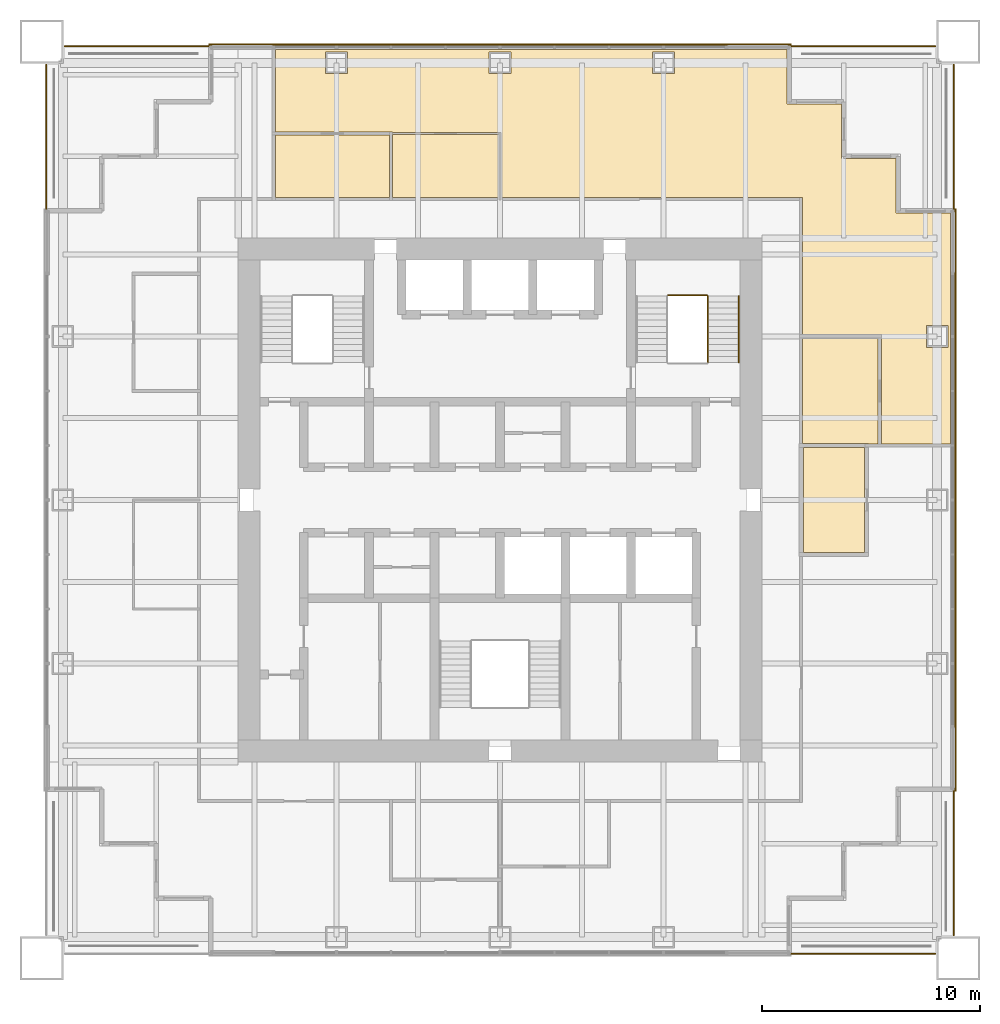
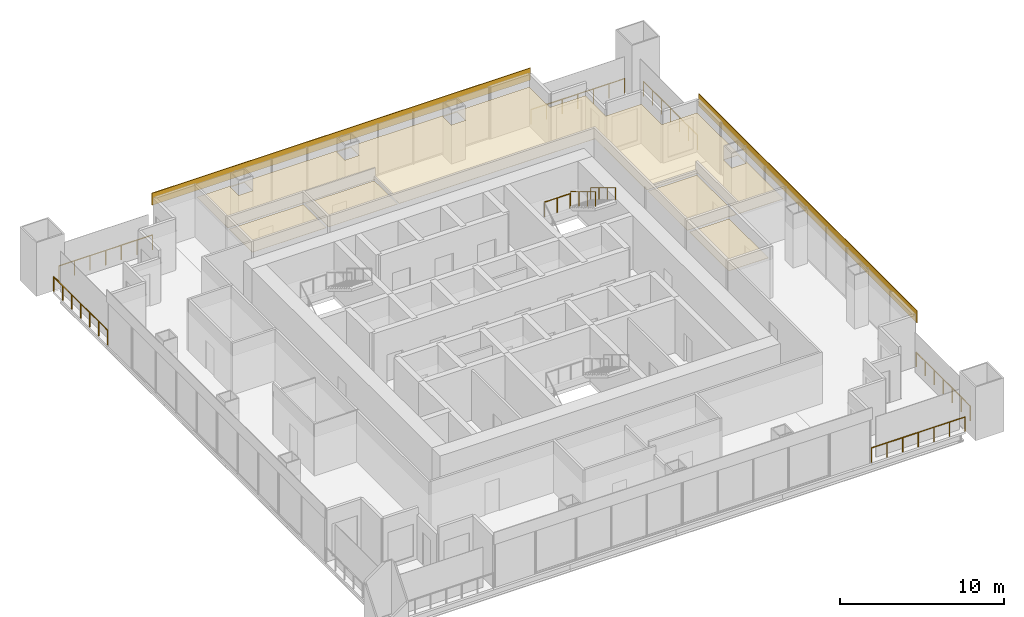
# One storey, part 14 of 14: 9 railings, 7 coverings.
"""IFC4 building model written with IfcOpenShell, lengths in metres."""

from ifc_helpers import new_model, si_unit, direction, frame, origin, origin_2d, place, context, subcontext, project, spatial, polyline, rectangle, circle, outline, extrude, material, layer, layer_set, type_object, element, save


model = new_model("IFC4")

# Units and contexts
model_context = context("Model", 3, precision=1e-05, world=origin(), true_north=direction((0.0, 1.0)))
body_context = subcontext(model_context, "Body", "Model", "MODEL_VIEW")
ifc_project = project(units=[si_unit("LENGTHUNIT", "METRE"), si_unit("AREAUNIT", "SQUARE_METRE"), si_unit("VOLUMEUNIT", "CUBIC_METRE"), si_unit("PLANEANGLEUNIT", "RADIAN"), si_unit("MASSUNIT", "GRAM", prefix="KILO")], contexts=[model_context])

# Site, building, storey
site_placement = place(None, origin())
site = spatial("IfcSite", under=ifc_project, at=site_placement, CompositionType="ELEMENT")
building_placement = place(site_placement, origin())
building = spatial("IfcBuilding", under=site, at=building_placement, Name="Tarangal Relay Tower", CompositionType="ELEMENT")
storey_placement = place(building_placement, frame((0.0, 0.0, 263.89990234375)))
storey = spatial("IfcBuildingStorey", under=building, at=storey_placement, Name="L57", CompositionType="ELEMENT", Elevation=263.89990234375)

# Coverings
ifc_material_1 = material(Name="Black anodised aluminium cladding", Category="aluminium")
ifc_layer_1 = layer(ifc_material_1, 0.050048828125)
ifc_layer_set_1 = layer_set([ifc_layer_1], Name="Black metal spandrel band")
covering_type_1 = type_object("IfcCoveringType", Name="Black metal spandrel band", PredefinedType="CLADDING", material=ifc_layer_set_1)
for number, where, z_axis, x_axis, name in (
    (1, (0.0, 20.875, 3.250244140625), (0.0, 0.0, 1.0), (1.0, 0.0, 0.0), "Spandrel band SB1 N L57"),
    (2, (20.875, 0.0, 3.250244140625), (0.0, 0.0, 1.0), (0.0, -1.0, 0.0), "Spandrel band SB1 E L57"),
):
    element("IfcCovering", number, at=place(storey_placement, frame(where, z_axis=z_axis, x_axis=x_axis)), inside=storey, type_object=covering_type_1, Name=name, PredefinedType="CLADDING", context=body_context, shape_type="SweptSolid", body=[
        extrude(rectangle(XDim=26.699951171875, YDim=0.050048828125, at=origin_2d()), origin(), (0.0, 0.0, 1.0), 0.89990234375),
    ])

# Railings
ifc_material_2 = material(Name="Steel guard, black finish", Category="steel")
railing_type_1 = type_object("IfcRailingType", Name="Stair guard 1100", PredefinedType="GUARDRAIL", material=ifc_material_2)
railing_1_placement = place(storey_placement, frame((9.530029296875, 9.346923828125, 2.166748046875)))
element("IfcRailing", 3, at=railing_1_placement, inside=storey, type_object=railing_type_1, Name="Stair ST-B guard GR1 L57 flight 2", PredefinedType="GUARDRAIL", context=body_context, shape_type="SweptSolid", body=[
    extrude(circle(Radius=0.02392578125, at=origin_2d()), frame((0.0, 0.0, 1.076171875), z_axis=(0.0, -0.85685617095, 0.515555527858), x_axis=(1.0, 0.0, 0.0)), (0.0, 0.0, 1.0), 3.555908203125),
    extrude(circle(Radius=0.02099609375, at=origin_2d()), origin(), (0.0, 0.0, 1.0), 1.052001953125),
    extrude(circle(Radius=0.02099609375, at=origin_2d()), frame((0.0, -1.015625, 0.611083984375)), (0.0, 0.0, 1.0), 1.052001953125),
    extrude(circle(Radius=0.02099609375, at=origin_2d()), frame((0.0, -2.03125, 1.22216796875)), (0.0, 0.0, 1.0), 1.052001953125),
    extrude(circle(Radius=0.02099609375, at=origin_2d()), frame((0.0, -3.046875, 1.833251953125)), (0.0, 0.0, 1.0), 1.052001953125),
])
railing_2_placement = place(storey_placement, frame((7.699951171875, 9.376953125, 2.0)))
element("IfcRailing", 4, at=railing_2_placement, inside=storey, type_object=railing_type_1, Name="Stair ST-B landing guard GR1 L57", PredefinedType="GUARDRAIL", context=body_context, shape_type="SweptSolid", body=[
    extrude(circle(Radius=0.02392578125, at=origin_2d()), frame((0.0, 0.0, 1.076171875), z_axis=(1.0, 0.0, 0.0), x_axis=(0.0, 1.0, 0.0)), (0.0, 0.0, 1.0), 1.800048828125),
    extrude(circle(Radius=0.02099609375, at=origin_2d()), origin(), (0.0, 0.0, 1.0), 1.052001953125),
    extrude(circle(Radius=0.02099609375, at=origin_2d()), frame((0.89990234375, 0.0, 0.0)), (0.0, 0.0, 1.0), 1.052001953125),
    extrude(circle(Radius=0.02099609375, at=origin_2d()), frame((1.800048828125, 0.0, 0.0)), (0.0, 0.0, 1.0), 1.052001953125),
])
ifc_material_3 = material(Name="Steel handrail, black finish", Category="steel")
railing_type_2 = type_object("IfcRailingType", Name="Stair handrail 900", PredefinedType="HANDRAIL", material=ifc_material_3)
railing_3_placement = place(storey_placement, frame((10.93994140625, 9.346923828125, 2.166748046875)))
element("IfcRailing", 5, at=railing_3_placement, inside=storey, type_object=railing_type_2, Name="Stair ST-B handrail HR1 L57 flight 2", PredefinedType="HANDRAIL", context=body_context, shape_type="SweptSolid", body=[
    extrude(circle(Radius=0.02392578125, at=origin_2d()), frame((0.0, 0.0, 0.8759765625), z_axis=(0.0, -0.85685617095, 0.515555527858), x_axis=(1.0, 0.0, 0.0)), (0.0, 0.0, 1.0), 3.555908203125),
    extrude(circle(Radius=0.02099609375, at=origin_2d()), origin(), (0.0, 0.0, 1.0), 0.851806640625),
    extrude(circle(Radius=0.02099609375, at=origin_2d()), frame((0.0, -1.015625, 0.611083984375)), (0.0, 0.0, 1.0), 0.851806640625),
    extrude(circle(Radius=0.02099609375, at=origin_2d()), frame((0.0, -2.03125, 1.22216796875)), (0.0, 0.0, 1.0), 0.851806640625),
    extrude(circle(Radius=0.02099609375, at=origin_2d()), frame((0.0, -3.046875, 1.833251953125)), (0.0, 0.0, 1.0), 0.851806640625),
])

# Coverings
ifc_material_4 = material(Name="Mineral fibre ceiling tiles", Category="gypsum")
ifc_layer_2 = layer(ifc_material_4, 0.02001953125)
ifc_layer_set_2 = layer_set([ifc_layer_2], Name="Suspended ceiling")
covering_type_2 = type_object("IfcCoveringType", Name="Suspended ceiling", PredefinedType="CEILING", material=ifc_layer_set_2)
covering_1_placement = place(storey_placement, frame((0.0, 0.0, 2.900146484375)))
element("IfcCovering", 6, at=covering_1_placement, inside=storey, type_object=covering_type_2, Name="Suspended ceiling CL1 L57-02", PredefinedType="CEILING", context=body_context, shape_type="SweptSolid", body=[
    extrude(outline(polyline([(-10.300048828125, 16.72509765625), (-10.300048828125, 13.875), (-5.074951171875, 13.875), (-5.074951171875, 16.72509765625), (-10.300048828125, 16.72509765625)])), origin(), (0.0, 0.0, 1.0), 0.02001953125),
])
covering_2_placement = place(storey_placement, frame((0.0, 0.0, 2.900146484375)))
element("IfcCovering", 7, at=covering_2_placement, inside=storey, type_object=covering_type_2, Name="Suspended ceiling CL1 L57-03", PredefinedType="CEILING", context=body_context, shape_type="SweptSolid", body=[
    extrude(outline(polyline([(-4.925048828125, 16.75), (-4.925048828125, 13.875), (-0.050048828125, 13.875), (-0.050048828125, 16.75), (-4.925048828125, 16.75)])), origin(), (0.0, 0.0, 1.0), 0.02001953125),
])
covering_3_placement = place(storey_placement, frame((0.0, 0.0, 2.900146484375)))
element("IfcCovering", 8, at=covering_3_placement, inside=storey, type_object=covering_type_2, Name="Suspended ceiling CL1 L57-04", PredefinedType="CEILING", context=body_context, shape_type="SweptSolid", body=[
    extrude(outline(polyline([(16.89990234375, 2.574951171875), (17.324951171875, 2.574951171875), (17.324951171875, 7.425048828125), (13.875, 7.425048828125), (13.875, 2.60009765625), (16.89990234375, 2.60009765625), (16.89990234375, 2.574951171875)])), origin(), (0.0, 0.0, 1.0), 0.02001953125),
])
covering_4_placement = place(storey_placement, frame((0.0, 0.0, 2.900146484375)))
element("IfcCovering", 9, at=covering_4_placement, inside=storey, type_object=covering_type_2, Name="Suspended ceiling CL1 L57-05", PredefinedType="CEILING", context=body_context, shape_type="SweptSolid", body=[
    extrude(outline(polyline([(16.699951171875, -2.39990234375), (16.699951171875, 2.39990234375), (13.89990234375, 2.39990234375), (13.89990234375, -2.39990234375), (16.699951171875, -2.39990234375)])), origin(), (0.0, 0.0, 1.0), 0.02001953125),
])
covering_5_placement = place(storey_placement, frame((0.0, 0.0, 2.900146484375)))
element("IfcCovering", 10, at=covering_5_placement, inside=storey, type_object=covering_type_2, Name="Suspended ceiling CL1 L57-10", PredefinedType="CEILING", context=body_context, shape_type="SweptSolid", body=[
    extrude(outline(polyline([(13.14990234375, 20.64990234375), (-10.300048828125, 20.64990234375), (-10.300048828125, 16.875), (-4.925048828125, 16.875), (-4.925048828125, 16.85009765625), (0.050048828125, 16.85009765625), (0.050048828125, 13.875), (13.875, 13.875), (13.875, 7.574951171875), (17.47509765625, 7.574951171875), (17.47509765625, 2.574951171875), (20.64990234375, 2.574951171875), (20.64990234375, 13.14990234375), (18.14990234375, 13.14990234375), (18.14990234375, 15.64990234375), (15.64990234375, 15.64990234375), (15.64990234375, 18.14990234375), (13.14990234375, 18.14990234375), (13.14990234375, 20.64990234375)]), holes=[polyline([(19.5400390625, 7.0), (20.5400390625, 7.0), (20.5400390625, 8.0), (19.5400390625, 8.0), (19.5400390625, 7.0)]), polyline([(-8.0, 19.5400390625), (-7.0, 19.5400390625), (-7.0, 20.5400390625), (-8.0, 20.5400390625), (-8.0, 19.5400390625)]), polyline([(-0.5, 19.5400390625), (0.5, 19.5400390625), (0.5, 20.5400390625), (-0.5, 20.5400390625), (-0.5, 19.5400390625)]), polyline([(7.0, 19.5400390625), (8.0, 19.5400390625), (8.0, 20.5400390625), (7.0, 20.5400390625), (7.0, 19.5400390625)])]), origin(), (0.0, 0.0, 1.0), 0.02001953125),
])

# Railings
ifc_material_5 = material(Name="Black steel guard with glass infill", Category="steel")
railing_type_3 = type_object("IfcRailingType", Name="Terrace guard 1100", PredefinedType="GUARDRAIL", material=ifc_material_5)
railing_4_placement = place(storey_placement, frame((13.35009765625, 20.800048828125, 0.0)))
element("IfcRailing", 11, at=railing_4_placement, inside=storey, type_object=railing_type_3, Name="Terrace guard GR2 NE L57", PredefinedType="GUARDRAIL", context=body_context, shape_type="SweptSolid", body=[
    extrude(circle(Radius=0.02392578125, at=origin_2d()), frame((0.0, 0.0, 1.076171875), z_axis=(1.0, 0.0, 0.0), x_axis=(0.0, 1.0, 0.0)), (0.0, 0.0, 1.0), 6.599853515625),
    extrude(circle(Radius=0.02099609375, at=origin_2d()), origin(), (0.0, 0.0, 1.0), 1.052001953125),
    extrude(circle(Radius=0.02099609375, at=origin_2d()), frame((1.10009765625, 0.0, 0.0)), (0.0, 0.0, 1.0), 1.052001953125),
    extrude(circle(Radius=0.02099609375, at=origin_2d()), frame((2.199951171875, 0.0, 0.0)), (0.0, 0.0, 1.0), 1.052001953125),
    extrude(circle(Radius=0.02099609375, at=origin_2d()), frame((3.2998046875, 0.0, 0.0)), (0.0, 0.0, 1.0), 1.052001953125),
    extrude(circle(Radius=0.02099609375, at=origin_2d()), frame((4.39990234375, 0.0, 0.0)), (0.0, 0.0, 1.0), 1.052001953125),
    extrude(circle(Radius=0.02099609375, at=origin_2d()), frame((5.5, 0.0, 0.0)), (0.0, 0.0, 1.0), 1.052001953125),
    extrude(circle(Radius=0.02099609375, at=origin_2d()), frame((6.599853515625, 0.0, 0.0)), (0.0, 0.0, 1.0), 1.052001953125),
])
for number, where, name in (
    (12, (20.800048828125, 19.949951171875, 0.0), "Terrace guard GR2 NE L57"),
    (13, (20.800048828125, -13.35009765625, 0.0), "Terrace guard GR2 SE L57"),
):
    element("IfcRailing", number, at=place(storey_placement, frame(where)), inside=storey, type_object=railing_type_3, Name=name, PredefinedType="GUARDRAIL", context=body_context, shape_type="SweptSolid", body=[
        extrude(circle(Radius=0.02392578125, at=origin_2d()), frame((0.0, 0.0, 1.076171875), z_axis=(0.0, -1.0, 0.0), x_axis=(1.0, 0.0, 0.0)), (0.0, 0.0, 1.0), 6.599853515625),
        extrude(circle(Radius=0.02099609375, at=origin_2d()), origin(), (0.0, 0.0, 1.0), 1.052001953125),
        extrude(circle(Radius=0.02099609375, at=origin_2d()), frame((0.0, -1.10009765625, 0.0)), (0.0, 0.0, 1.0), 1.052001953125),
        extrude(circle(Radius=0.02099609375, at=origin_2d()), frame((0.0, -2.199951171875, 0.0)), (0.0, 0.0, 1.0), 1.052001953125),
        extrude(circle(Radius=0.02099609375, at=origin_2d()), frame((0.0, -3.2998046875, 0.0)), (0.0, 0.0, 1.0), 1.052001953125),
        extrude(circle(Radius=0.02099609375, at=origin_2d()), frame((0.0, -4.39990234375, 0.0)), (0.0, 0.0, 1.0), 1.052001953125),
        extrude(circle(Radius=0.02099609375, at=origin_2d()), frame((0.0, -5.5, 0.0)), (0.0, 0.0, 1.0), 1.052001953125),
        extrude(circle(Radius=0.02099609375, at=origin_2d()), frame((0.0, -6.599853515625, 0.0)), (0.0, 0.0, 1.0), 1.052001953125),
    ])
railing_5_placement = place(storey_placement, frame((19.949951171875, -20.800048828125, 0.0)))
element("IfcRailing", 14, at=railing_5_placement, inside=storey, type_object=railing_type_3, Name="Terrace guard GR2 SE L57", PredefinedType="GUARDRAIL", context=body_context, shape_type="SweptSolid", body=[
    extrude(circle(Radius=0.02392578125, at=origin_2d()), frame((0.0, 0.0, 1.076171875), z_axis=(-1.0, 0.0, 0.0), x_axis=(0.0, -1.0, 0.0)), (0.0, 0.0, 1.0), 6.599853515625),
    extrude(circle(Radius=0.02099609375, at=origin_2d()), origin(), (0.0, 0.0, 1.0), 1.052001953125),
    extrude(circle(Radius=0.02099609375, at=origin_2d()), frame((-1.10009765625, 0.0, 0.0)), (0.0, 0.0, 1.0), 1.052001953125),
    extrude(circle(Radius=0.02099609375, at=origin_2d()), frame((-2.199951171875, 0.0, 0.0)), (0.0, 0.0, 1.0), 1.052001953125),
    extrude(circle(Radius=0.02099609375, at=origin_2d()), frame((-3.2998046875, 0.0, 0.0)), (0.0, 0.0, 1.0), 1.052001953125),
    extrude(circle(Radius=0.02099609375, at=origin_2d()), frame((-4.39990234375, 0.0, 0.0)), (0.0, 0.0, 1.0), 1.052001953125),
    extrude(circle(Radius=0.02099609375, at=origin_2d()), frame((-5.5, 0.0, 0.0)), (0.0, 0.0, 1.0), 1.052001953125),
    extrude(circle(Radius=0.02099609375, at=origin_2d()), frame((-6.599853515625, 0.0, 0.0)), (0.0, 0.0, 1.0), 1.052001953125),
])
railing_6_placement = place(storey_placement, frame((-20.800048828125, 13.35009765625, 0.0)))
element("IfcRailing", 15, at=railing_6_placement, inside=storey, type_object=railing_type_3, Name="Terrace guard GR2 NW L57", PredefinedType="GUARDRAIL", context=body_context, shape_type="SweptSolid", body=[
    extrude(circle(Radius=0.02392578125, at=origin_2d()), frame((0.0, 0.0, 1.076171875), z_axis=(0.0, 1.0, 0.0), x_axis=(-1.0, 0.0, 0.0)), (0.0, 0.0, 1.0), 6.599853515625),
    extrude(circle(Radius=0.02099609375, at=origin_2d()), origin(), (0.0, 0.0, 1.0), 1.052001953125),
    extrude(circle(Radius=0.02099609375, at=origin_2d()), frame((0.0, 1.10009765625, 0.0)), (0.0, 0.0, 1.0), 1.052001953125),
    extrude(circle(Radius=0.02099609375, at=origin_2d()), frame((0.0, 2.199951171875, 0.0)), (0.0, 0.0, 1.0), 1.052001953125),
    extrude(circle(Radius=0.02099609375, at=origin_2d()), frame((0.0, 3.2998046875, 0.0)), (0.0, 0.0, 1.0), 1.052001953125),
    extrude(circle(Radius=0.02099609375, at=origin_2d()), frame((0.0, 4.39990234375, 0.0)), (0.0, 0.0, 1.0), 1.052001953125),
    extrude(circle(Radius=0.02099609375, at=origin_2d()), frame((0.0, 5.5, 0.0)), (0.0, 0.0, 1.0), 1.052001953125),
    extrude(circle(Radius=0.02099609375, at=origin_2d()), frame((0.0, 6.599853515625, 0.0)), (0.0, 0.0, 1.0), 1.052001953125),
])
railing_7_placement = place(storey_placement, frame((-19.949951171875, 20.800048828125, 0.0)))
element("IfcRailing", 16, at=railing_7_placement, inside=storey, type_object=railing_type_3, Name="Terrace guard GR2 NW L57", PredefinedType="GUARDRAIL", context=body_context, shape_type="SweptSolid", body=[
    extrude(circle(Radius=0.02392578125, at=origin_2d()), frame((0.0, 0.0, 1.076171875), z_axis=(1.0, 0.0, 0.0), x_axis=(0.0, 1.0, 0.0)), (0.0, 0.0, 1.0), 6.599853515625),
    extrude(circle(Radius=0.02099609375, at=origin_2d()), origin(), (0.0, 0.0, 1.0), 1.052001953125),
    extrude(circle(Radius=0.02099609375, at=origin_2d()), frame((1.10009765625, 0.0, 0.0)), (0.0, 0.0, 1.0), 1.052001953125),
    extrude(circle(Radius=0.02099609375, at=origin_2d()), frame((2.199951171875, 0.0, 0.0)), (0.0, 0.0, 1.0), 1.052001953125),
    extrude(circle(Radius=0.02099609375, at=origin_2d()), frame((3.2998046875, 0.0, 0.0)), (0.0, 0.0, 1.0), 1.052001953125),
    extrude(circle(Radius=0.02099609375, at=origin_2d()), frame((4.39990234375, 0.0, 0.0)), (0.0, 0.0, 1.0), 1.052001953125),
    extrude(circle(Radius=0.02099609375, at=origin_2d()), frame((5.5, 0.0, 0.0)), (0.0, 0.0, 1.0), 1.052001953125),
    extrude(circle(Radius=0.02099609375, at=origin_2d()), frame((6.599853515625, 0.0, 0.0)), (0.0, 0.0, 1.0), 1.052001953125),
])

save(model, "model.ifc")
